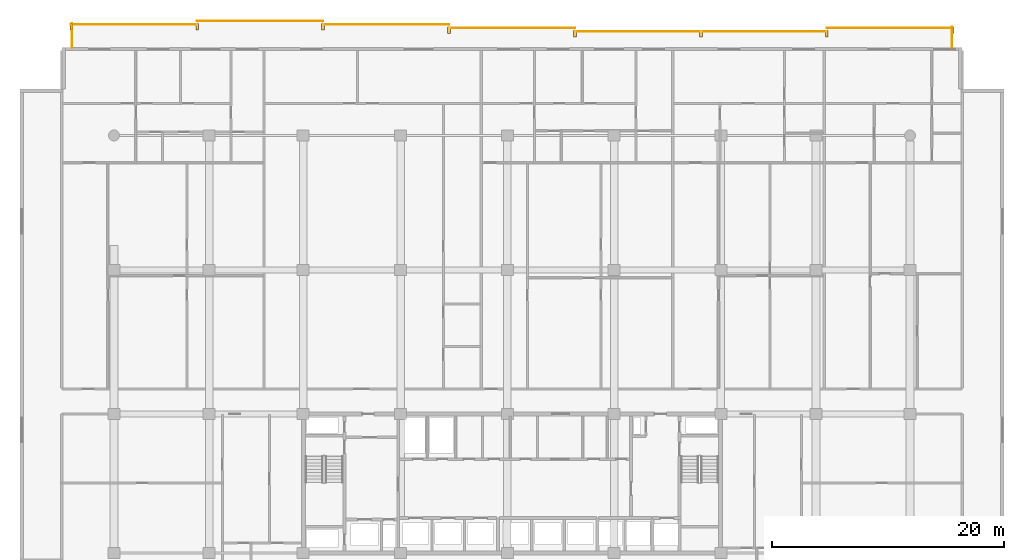
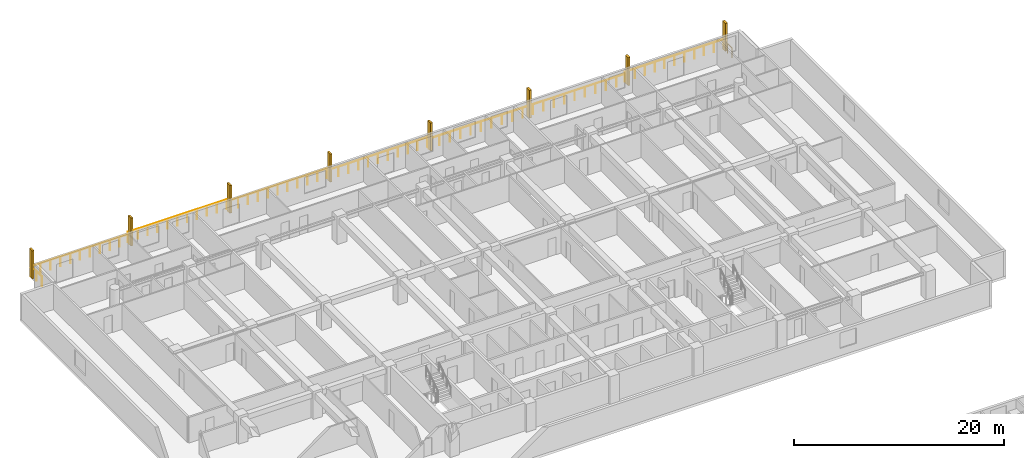
# One storey, part 23 of 23: 8 railings, 8 shading devices.
"""IFC4 building model written with IfcOpenShell, lengths in metres."""

from ifc_helpers import new_model, si_unit, direction, frame, origin, origin_2d, place, context, subcontext, project, spatial, rectangle, circle, extrude, material, type_object, element, save


model = new_model("IFC4")

# Units and contexts
model_context = context("Model", 3, precision=1e-05, world=origin(), true_north=direction((0.0, 1.0)))
body_context = subcontext(model_context, "Body", "Model", "MODEL_VIEW")
ifc_project = project(units=[si_unit("LENGTHUNIT", "METRE"), si_unit("AREAUNIT", "SQUARE_METRE"), si_unit("VOLUMEUNIT", "CUBIC_METRE"), si_unit("PLANEANGLEUNIT", "RADIAN"), si_unit("MASSUNIT", "GRAM", prefix="KILO")], contexts=[model_context])

# Site, building, storey
site_placement = place(None, origin())
site = spatial("IfcSite", under=ifc_project, at=site_placement, CompositionType="ELEMENT")
building_placement = place(site_placement, origin())
building = spatial("IfcBuilding", under=site, at=building_placement, Name="Korimba Cascade Residences", CompositionType="ELEMENT")
storey_placement = place(building_placement, frame((0.0, 0.0, 69.5)))
storey = spatial("IfcBuildingStorey", under=building, at=storey_placement, Name="L19", CompositionType="ELEMENT", Elevation=69.5)

# Railings
ifc_material_1 = material(Name="Laminated Glass and Bronze Balustrade", Category="glass")
railing_type = type_object("IfcRailingType", Name="RLG-LOG-1150", PredefinedType="BALUSTRADE", material=ifc_material_1)
railing_1_placement = place(storey_placement, frame((132.02001953125, 98.800048828125, 0.0)))
element("IfcRailing", 1, at=railing_1_placement, inside=storey, type_object=railing_type, Name="L19 Perimeter Guardrail RLG-L19-T1-LOG-01", PredefinedType="BALUSTRADE", context=body_context, shape_type="SweptSolid", body=[
    extrude(circle(Radius=0.02392578125, at=origin_2d()), frame((0.0, 0.0, 1.1259765625), z_axis=(0.0, 1.0, 0.0), x_axis=(-1.0, 0.0, 0.0)), (0.0, 0.0, 1.0), 1.75),
    extrude(circle(Radius=0.02099609375, at=origin_2d()), origin(), (0.0, 0.0, 1.0), 1.101806640625),
    extrude(circle(Radius=0.02099609375, at=origin_2d()), frame((0.0, 0.875, 0.0)), (0.0, 0.0, 1.0), 1.101806640625),
    extrude(circle(Radius=0.02099609375, at=origin_2d()), frame((0.0, 1.75, 0.0)), (0.0, 0.0, 1.0), 1.101806640625),
])
railing_2_placement = place(storey_placement, frame((132.10009765625, 100.469970703125, 0.0)))
element("IfcRailing", 2, at=railing_2_placement, inside=storey, type_object=railing_type, Name="L19 Perimeter Guardrail RLG-L19-T1-LOG-02", PredefinedType="BALUSTRADE", context=body_context, shape_type="SweptSolid", body=[
    extrude(circle(Radius=0.02392578125, at=origin_2d()), frame((0.0, 0.0, 1.1259765625), z_axis=(-1.0, 0.0, 0.0), x_axis=(0.0, -1.0, 0.0)), (0.0, 0.0, 1.0), 10.857177734375),
    extrude(circle(Radius=0.02099609375, at=origin_2d()), origin(), (0.0, 0.0, 1.0), 1.101806640625),
    extrude(circle(Radius=0.02099609375, at=origin_2d()), frame((-1.085693359375, 0.0, 0.0)), (0.0, 0.0, 1.0), 1.101806640625),
    extrude(circle(Radius=0.02099609375, at=origin_2d()), frame((-2.17138671875, 0.0, 0.0)), (0.0, 0.0, 1.0), 1.101806640625),
    extrude(circle(Radius=0.02099609375, at=origin_2d()), frame((-3.257080078125, 0.0, 0.0)), (0.0, 0.0, 1.0), 1.101806640625),
    extrude(circle(Radius=0.02099609375, at=origin_2d()), frame((-4.3427734375, 0.0, 0.0)), (0.0, 0.0, 1.0), 1.101806640625),
    extrude(circle(Radius=0.02099609375, at=origin_2d()), frame((-5.4287109375, 0.0, 0.0)), (0.0, 0.0, 1.0), 1.101806640625),
    extrude(circle(Radius=0.02099609375, at=origin_2d()), frame((-6.514404296875, 0.0, 0.0)), (0.0, 0.0, 1.0), 1.101806640625),
    extrude(circle(Radius=0.02099609375, at=origin_2d()), frame((-7.60009765625, 0.0, 0.0)), (0.0, 0.0, 1.0), 1.101806640625),
    extrude(circle(Radius=0.02099609375, at=origin_2d()), frame((-8.685791015625, 0.0, 0.0)), (0.0, 0.0, 1.0), 1.101806640625),
    extrude(circle(Radius=0.02099609375, at=origin_2d()), frame((-9.771484375, 0.0, 0.0)), (0.0, 0.0, 1.0), 1.101806640625),
    extrude(circle(Radius=0.02099609375, at=origin_2d()), frame((-10.857177734375, 0.0, 0.0)), (0.0, 0.0, 1.0), 1.101806640625),
])
railing_3_placement = place(storey_placement, frame((121.242919921875, 100.169921875, 0.0)))
element("IfcRailing", 3, at=railing_3_placement, inside=storey, type_object=railing_type, Name="L19 Perimeter Guardrail RLG-L19-T1-LOG-03", PredefinedType="BALUSTRADE", context=body_context, shape_type="SweptSolid", body=[
    extrude(circle(Radius=0.02392578125, at=origin_2d()), frame((0.0, 0.0, 1.1259765625), z_axis=(-1.0, 0.0, 0.0), x_axis=(0.0, -1.0, 0.0)), (0.0, 0.0, 1.0), 21.71435546875),
    extrude(circle(Radius=0.02099609375, at=origin_2d()), origin(), (0.0, 0.0, 1.0), 1.101806640625),
    extrude(circle(Radius=0.02099609375, at=origin_2d()), frame((-1.142822265625, 0.0, 0.0)), (0.0, 0.0, 1.0), 1.101806640625),
    extrude(circle(Radius=0.02099609375, at=origin_2d()), frame((-2.28564453125, 0.0, 0.0)), (0.0, 0.0, 1.0), 1.101806640625),
    extrude(circle(Radius=0.02099609375, at=origin_2d()), frame((-3.428466796875, 0.0, 0.0)), (0.0, 0.0, 1.0), 1.101806640625),
    extrude(circle(Radius=0.02099609375, at=origin_2d()), frame((-4.571533203125, 0.0, 0.0)), (0.0, 0.0, 1.0), 1.101806640625),
    extrude(circle(Radius=0.02099609375, at=origin_2d()), frame((-5.71435546875, 0.0, 0.0)), (0.0, 0.0, 1.0), 1.101806640625),
    extrude(circle(Radius=0.02099609375, at=origin_2d()), frame((-6.857177734375, 0.0, 0.0)), (0.0, 0.0, 1.0), 1.101806640625),
    extrude(circle(Radius=0.02099609375, at=origin_2d()), frame((-8.0, 0.0, 0.0)), (0.0, 0.0, 1.0), 1.101806640625),
    extrude(circle(Radius=0.02099609375, at=origin_2d()), frame((-9.142822265625, 0.0, 0.0)), (0.0, 0.0, 1.0), 1.101806640625),
    extrude(circle(Radius=0.02099609375, at=origin_2d()), frame((-10.28564453125, 0.0, 0.0)), (0.0, 0.0, 1.0), 1.101806640625),
    extrude(circle(Radius=0.02099609375, at=origin_2d()), frame((-11.4287109375, 0.0, 0.0)), (0.0, 0.0, 1.0), 1.101806640625),
    extrude(circle(Radius=0.02099609375, at=origin_2d()), frame((-12.571533203125, 0.0, 0.0)), (0.0, 0.0, 1.0), 1.101806640625),
    extrude(circle(Radius=0.02099609375, at=origin_2d()), frame((-13.71435546875, 0.0, 0.0)), (0.0, 0.0, 1.0), 1.101806640625),
    extrude(circle(Radius=0.02099609375, at=origin_2d()), frame((-14.857177734375, 0.0, 0.0)), (0.0, 0.0, 1.0), 1.101806640625),
    extrude(circle(Radius=0.02099609375, at=origin_2d()), frame((-16.0, 0.0, 0.0)), (0.0, 0.0, 1.0), 1.101806640625),
    extrude(circle(Radius=0.02099609375, at=origin_2d()), frame((-17.142822265625, 0.0, 0.0)), (0.0, 0.0, 1.0), 1.101806640625),
    extrude(circle(Radius=0.02099609375, at=origin_2d()), frame((-18.285888671875, 0.0, 0.0)), (0.0, 0.0, 1.0), 1.101806640625),
    extrude(circle(Radius=0.02099609375, at=origin_2d()), frame((-19.4287109375, 0.0, 0.0)), (0.0, 0.0, 1.0), 1.101806640625),
    extrude(circle(Radius=0.02099609375, at=origin_2d()), frame((-20.571533203125, 0.0, 0.0)), (0.0, 0.0, 1.0), 1.101806640625),
    extrude(circle(Radius=0.02099609375, at=origin_2d()), frame((-21.71435546875, 0.0, 0.0)), (0.0, 0.0, 1.0), 1.101806640625),
])
for number, where, name in (
    (4, (99.528564453125, 100.469970703125, 0.0), "L19 Perimeter Guardrail RLG-L19-T1-LOG-04"),
    (5, (88.67138671875, 100.77001953125, 0.0), "L19 Perimeter Guardrail RLG-L19-T1-LOG-05"),
    (6, (77.814208984375, 101.070068359375, 0.0), "L19 Perimeter Guardrail RLG-L19-T1-LOG-06"),
):
    element("IfcRailing", number, at=place(storey_placement, frame(where)), inside=storey, type_object=railing_type, Name=name, PredefinedType="BALUSTRADE", context=body_context, shape_type="SweptSolid", body=[
        extrude(circle(Radius=0.02392578125, at=origin_2d()), frame((0.0, 0.0, 1.1259765625), z_axis=(-1.0, 0.0, 0.0), x_axis=(0.0, -1.0, 0.0)), (0.0, 0.0, 1.0), 10.857177734375),
        extrude(circle(Radius=0.02099609375, at=origin_2d()), origin(), (0.0, 0.0, 1.0), 1.101806640625),
        extrude(circle(Radius=0.02099609375, at=origin_2d()), frame((-1.085693359375, 0.0, 0.0)), (0.0, 0.0, 1.0), 1.101806640625),
        extrude(circle(Radius=0.02099609375, at=origin_2d()), frame((-2.17138671875, 0.0, 0.0)), (0.0, 0.0, 1.0), 1.101806640625),
        extrude(circle(Radius=0.02099609375, at=origin_2d()), frame((-3.257080078125, 0.0, 0.0)), (0.0, 0.0, 1.0), 1.101806640625),
        extrude(circle(Radius=0.02099609375, at=origin_2d()), frame((-4.3427734375, 0.0, 0.0)), (0.0, 0.0, 1.0), 1.101806640625),
        extrude(circle(Radius=0.02099609375, at=origin_2d()), frame((-5.4287109375, 0.0, 0.0)), (0.0, 0.0, 1.0), 1.101806640625),
        extrude(circle(Radius=0.02099609375, at=origin_2d()), frame((-6.514404296875, 0.0, 0.0)), (0.0, 0.0, 1.0), 1.101806640625),
        extrude(circle(Radius=0.02099609375, at=origin_2d()), frame((-7.60009765625, 0.0, 0.0)), (0.0, 0.0, 1.0), 1.101806640625),
        extrude(circle(Radius=0.02099609375, at=origin_2d()), frame((-8.685791015625, 0.0, 0.0)), (0.0, 0.0, 1.0), 1.101806640625),
        extrude(circle(Radius=0.02099609375, at=origin_2d()), frame((-9.771484375, 0.0, 0.0)), (0.0, 0.0, 1.0), 1.101806640625),
        extrude(circle(Radius=0.02099609375, at=origin_2d()), frame((-10.857177734375, 0.0, 0.0)), (0.0, 0.0, 1.0), 1.101806640625),
    ])
railing_4_placement = place(storey_placement, frame((66.95703125, 100.77001953125, 0.0)))
element("IfcRailing", 7, at=railing_4_placement, inside=storey, type_object=railing_type, Name="L19 Perimeter Guardrail RLG-L19-T1-LOG-07", PredefinedType="BALUSTRADE", context=body_context, shape_type="SweptSolid", body=[
    extrude(circle(Radius=0.02392578125, at=origin_2d()), frame((0.0, 0.0, 1.1259765625), z_axis=(-1.0, 0.0, 0.0), x_axis=(0.0, -1.0, 0.0)), (0.0, 0.0, 1.0), 10.85693359375),
    extrude(circle(Radius=0.02099609375, at=origin_2d()), origin(), (0.0, 0.0, 1.0), 1.101806640625),
    extrude(circle(Radius=0.02099609375, at=origin_2d()), frame((-1.085693359375, 0.0, 0.0)), (0.0, 0.0, 1.0), 1.101806640625),
    extrude(circle(Radius=0.02099609375, at=origin_2d()), frame((-2.17138671875, 0.0, 0.0)), (0.0, 0.0, 1.0), 1.101806640625),
    extrude(circle(Radius=0.02099609375, at=origin_2d()), frame((-3.257080078125, 0.0, 0.0)), (0.0, 0.0, 1.0), 1.101806640625),
    extrude(circle(Radius=0.02099609375, at=origin_2d()), frame((-4.3427734375, 0.0, 0.0)), (0.0, 0.0, 1.0), 1.101806640625),
    extrude(circle(Radius=0.02099609375, at=origin_2d()), frame((-5.428466796875, 0.0, 0.0)), (0.0, 0.0, 1.0), 1.101806640625),
    extrude(circle(Radius=0.02099609375, at=origin_2d()), frame((-6.51416015625, 0.0, 0.0)), (0.0, 0.0, 1.0), 1.101806640625),
    extrude(circle(Radius=0.02099609375, at=origin_2d()), frame((-7.599853515625, 0.0, 0.0)), (0.0, 0.0, 1.0), 1.101806640625),
    extrude(circle(Radius=0.02099609375, at=origin_2d()), frame((-8.685546875, 0.0, 0.0)), (0.0, 0.0, 1.0), 1.101806640625),
    extrude(circle(Radius=0.02099609375, at=origin_2d()), frame((-9.771240234375, 0.0, 0.0)), (0.0, 0.0, 1.0), 1.101806640625),
    extrude(circle(Radius=0.02099609375, at=origin_2d()), frame((-10.85693359375, 0.0, 0.0)), (0.0, 0.0, 1.0), 1.101806640625),
])
railing_5_placement = place(storey_placement, frame((56.179931640625, 100.85009765625, 0.0)))
element("IfcRailing", 8, at=railing_5_placement, inside=storey, type_object=railing_type, Name="L19 Perimeter Guardrail RLG-L19-T1-LOG-08", PredefinedType="BALUSTRADE", context=body_context, shape_type="SweptSolid", body=[
    extrude(circle(Radius=0.02392578125, at=origin_2d()), frame((0.0, 0.0, 1.1259765625), z_axis=(0.0, -1.0, 0.0), x_axis=(1.0, 0.0, 0.0)), (0.0, 0.0, 1.0), 2.050048828125),
    extrude(circle(Radius=0.02099609375, at=origin_2d()), origin(), (0.0, 0.0, 1.0), 1.101806640625),
    extrude(circle(Radius=0.02099609375, at=origin_2d()), frame((0.0, -1.02490234375, 0.0)), (0.0, 0.0, 1.0), 1.101806640625),
    extrude(circle(Radius=0.02099609375, at=origin_2d()), frame((0.0, -2.050048828125, 0.0)), (0.0, 0.0, 1.0), 1.101806640625),
])

# Shading devices
ifc_material_2 = material(Name="Honed Sandstone Precast Fin", Category="masonry")
shading_device_type = type_object("IfcShadingDeviceType", Name="SHD-FIN-550", PredefinedType="USERDEFINED", material=ifc_material_2)
for number, where, z_axis, x_axis, name in (
    (9, (56.10009765625, 100.574951171875, 0.0), (0.0, 0.0, 1.0), (1.0, 0.0, 0.0), "L19 T1 Warm-Stone Loggia Fin 1"),
    (10, (66.95703125, 100.574951171875, 0.0), (0.0, 0.0, 1.0), (1.0, 0.0, 0.0), "L19 T1 Warm-Stone Loggia Fin 2"),
    (11, (77.814208984375, 100.574951171875, 0.0), (0.0, 0.0, 1.0), (1.0, 0.0, 0.0), "L19 T1 Warm-Stone Loggia Fin 3"),
    (12, (88.67138671875, 100.27490234375, 0.0), (0.0, 0.0, 1.0), (1.0, 0.0, 0.0), "L19 T1 Warm-Stone Loggia Fin 4"),
    (13, (99.528564453125, 99.97509765625, 0.0), (0.0, 0.0, 1.0), (1.0, 0.0, 0.0), "L19 T1 Warm-Stone Loggia Fin 5"),
    (14, (110.3857421875, 99.97509765625, 0.0), (0.0, 0.0, 1.0), (1.0, 0.0, 0.0), "L19 T1 Warm-Stone Loggia Fin 6"),
    (15, (121.242919921875, 99.97509765625, 0.0), (0.0, 0.0, 1.0), (1.0, 0.0, 0.0), "L19 T1 Warm-Stone Loggia Fin 7"),
    (16, (132.10009765625, 100.27490234375, 0.0), (0.0, 0.0, 1.0), (1.0, 0.0, 0.0), "L19 T1 Warm-Stone Loggia Fin 8"),
):
    element("IfcShadingDevice", number, at=place(storey_placement, frame(where, z_axis=z_axis, x_axis=x_axis)), inside=storey, type_object=shading_device_type, Name=name, ObjectType="FIN", PredefinedType="USERDEFINED", context=body_context, shape_type="SweptSolid", body=[
        extrude(rectangle(XDim=0.219970703125, YDim=0.550048828125, at=origin_2d()), origin(), (0.0, 0.0, 1.0), 3.25),
    ])

save(model, "model.ifc")
